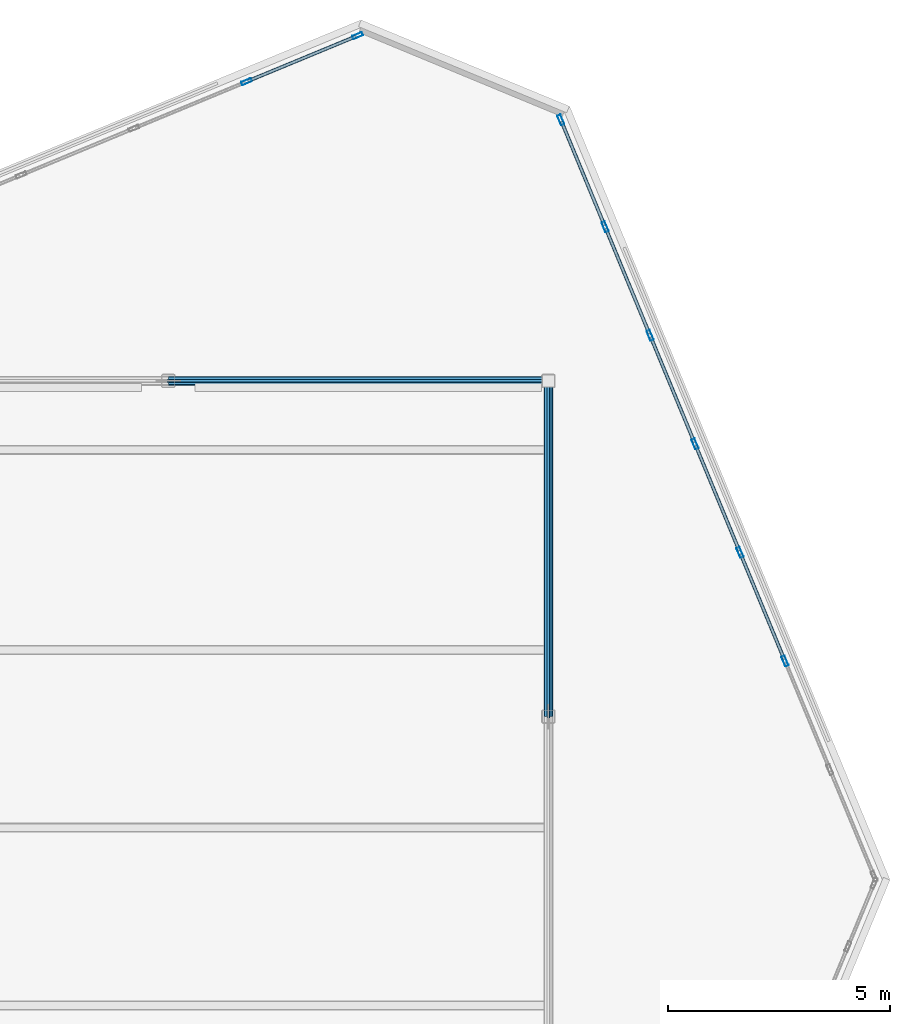
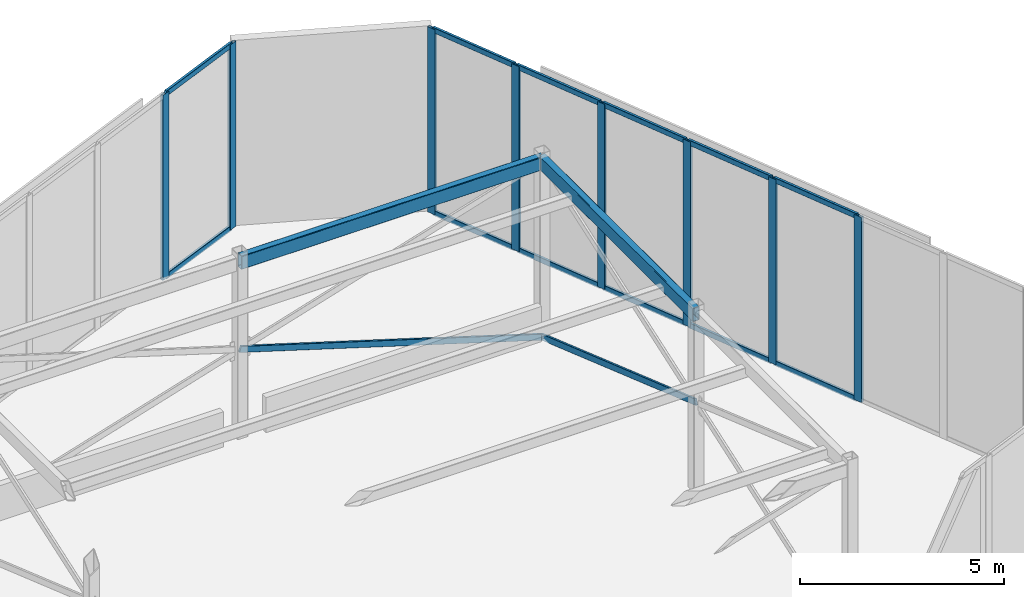
# One storey, part 10 of 12: 24 members, 2 elements without a shape of their own.
"""IFC4 building model written with IfcOpenShell, lengths in metres."""

import ifcopenshell
import ifcopenshell.guid

model = None  # the IFC model being written
_history = None  # IfcOwnerHistory: only IFC2X3 demands one
_inside = {}  # id of a spatial element -> (the spatial element, [elements in it])
_under = {}  # id of a project, library or spatial element -> (it, [spatial elements below it])
_declared = {}  # id of a project -> (the project, [libraries it declares])
_typed = {}  # id of a type object -> (the type object, [elements of that type])
_made_of = {}  # id of a material, layer set ... -> (it, [elements and type objects made of it])


def new_model(schema):
    """Start an empty IFC model of exactly this schema.

    Asked for "IFC4X3", IfcOpenShell would pick the latest addendum, in which some entities
    have other attributes; the version numbers below select the first issue.
    IFC2X3 requires an IfcOwnerHistory on every rooted entity: one is made here for all.
    """
    global model, _history
    if schema == "IFC4X3":
        model = ifcopenshell.file(schema_version=(4, 3, 0, 0))
    else:
        model = ifcopenshell.file(schema=schema)
    _inside.clear()
    _under.clear()
    _declared.clear()
    _typed.clear()
    _made_of.clear()
    _history = None
    if model.schema == "IFC2X3":
        org = make("IfcOrganization", Name="unknown")
        user = make(
            "IfcPersonAndOrganization",
            ThePerson=make("IfcPerson", FamilyName="unknown"),
            TheOrganization=org,
        )
        app = make(
            "IfcApplication",
            ApplicationDeveloper=org,
            Version="unknown",
            ApplicationFullName="unknown",
            ApplicationIdentifier="unknown",
        )
        _history = make(
            "IfcOwnerHistory",
            OwningUser=user,
            OwningApplication=app,
            ChangeAction="ADDED",
            CreationDate=0,
        )
    return model


def make(cls, **values):
    """One entity of the class cls with the attributes given. An attribute that is None is left unset."""
    return model.create_entity(
        cls, **{name: value for name, value in values.items() if value is not None}
    )


def rooted(cls, **values):
    """An entity with a GlobalId (a new one), such as an element, a storey or a relation."""
    return make(cls, GlobalId=ifcopenshell.guid.new(), OwnerHistory=_history, **values)


def si_unit(unit_type, name, prefix=None):
    """IfcSIUnit, for example si_unit("LENGTHUNIT", "METRE", prefix="MILLI")."""
    return make("IfcSIUnit", UnitType=unit_type, Prefix=prefix, Name=name)


def assignment(units):
    """IfcUnitAssignment: the units of a project."""
    return None if units is None else make("IfcUnitAssignment", Units=units)


def point(xyz):
    """IfcCartesianPoint."""
    return None if xyz is None else make("IfcCartesianPoint", Coordinates=xyz)


def direction(xyz):
    """IfcDirection."""
    return None if xyz is None else make("IfcDirection", DirectionRatios=xyz)


def frame(location, z_axis=None, x_axis=None):
    """IfcAxis2Placement3D, a coordinate frame: its origin and axes. An axis left out is left unset."""
    return make(
        "IfcAxis2Placement3D",
        Location=point(location),
        Axis=direction(z_axis),
        RefDirection=direction(x_axis),
    )


def frame_2d(location, x_axis=None):
    """IfcAxis2Placement2D, a coordinate frame in the plane: its origin and x axis."""
    return make(
        "IfcAxis2Placement2D", Location=point(location), RefDirection=direction(x_axis)
    )


def origin():
    """The frame at (0, 0, 0) with its axes left unset."""
    return frame((0.0, 0.0, 0.0))


def origin_2d():
    """The frame at (0, 0) in the plane with its x axis left unset."""
    return frame_2d((0.0, 0.0))


def place(relative_to, where):
    """IfcLocalPlacement: puts the frame where relative to a parent placement (None: the world)."""
    return make(
        "IfcLocalPlacement", PlacementRelTo=relative_to, RelativePlacement=where
    )


def context(
    kind, dimensions, precision=None, world=None, true_north=None, identifier=None
):
    """IfcGeometricRepresentationContext, for example the 3D "Model" context."""
    return make(
        "IfcGeometricRepresentationContext",
        ContextIdentifier=identifier,
        ContextType=kind,
        CoordinateSpaceDimension=dimensions,
        Precision=precision,
        WorldCoordinateSystem=world,
        TrueNorth=true_north,
    )


def subcontext(parent, identifier, kind, view, scale=None):
    """IfcGeometricRepresentationSubContext, for example "Body" below "Model"."""
    return make(
        "IfcGeometricRepresentationSubContext",
        ContextIdentifier=identifier,
        ContextType=kind,
        ParentContext=parent,
        TargetScale=scale,
        TargetView=view,
    )


def project(units=None, contexts=None):
    """IfcProject with its units and contexts."""
    return rooted(
        "IfcProject",
        Name="project",
        RepresentationContexts=contexts,
        UnitsInContext=assignment(units),
    )


def spatial(cls, under=None, at=None, **own):
    """A site, building, storey or space (cls), placed at a placement, below another one or the project."""
    s = rooted(cls, ObjectPlacement=at, **own)
    if under is not None:
        _under.setdefault(under.id(), (under, []))[1].append(s)
    return s


def profile(cls, at=None, kind="AREA", **sizes):
    """A parametric profile (cls). Its sizes go by their IFC names, for example OverallWidth=200.0."""
    return make(cls, ProfileType=kind, Position=at, **sizes)


def hollow_rectangle(**sizes):
    """IfcRectangleHollowProfileDef."""
    return profile("IfcRectangleHollowProfileDef", **sizes)


def extrude(swept, where, along, depth):
    """IfcExtrudedAreaSolid: the profile swept, set in the frame where, extruded along a direction by depth."""
    return make(
        "IfcExtrudedAreaSolid",
        SweptArea=swept,
        Position=where,
        ExtrudedDirection=direction(along),
        Depth=depth,
    )


def shape(context_of_items, identifier, shape_type, items):
    """IfcShapeRepresentation: the items that make up one representation, for example the "Body"."""
    return make(
        "IfcShapeRepresentation",
        ContextOfItems=context_of_items,
        RepresentationIdentifier=identifier,
        RepresentationType=shape_type,
        Items=items,
    )


def source(mapping_origin, context_of_items, identifier, shape_type, items):
    """IfcRepresentationMap: a shape defined once, which mapped items show again and again."""
    return make(
        "IfcRepresentationMap",
        MappingOrigin=mapping_origin,
        MappedRepresentation=shape(context_of_items, identifier, shape_type, items),
    )


def transform(
    local_origin,
    x_axis=None,
    y_axis=None,
    z_axis=None,
    scale=None,
    scale2=None,
    scale3=None,
    uniform=True,
):
    """IfcCartesianTransformationOperator3D, or its non-uniform kind. x_axis, y_axis, z_axis: its Axis1, 2, 3."""
    if uniform:
        return make(
            "IfcCartesianTransformationOperator3D",
            Axis1=direction(x_axis),
            Axis2=direction(y_axis),
            LocalOrigin=point(local_origin),
            Scale=scale,
            Axis3=direction(z_axis),
        )
    return make(
        "IfcCartesianTransformationOperator3DnonUniform",
        Axis1=direction(x_axis),
        Axis2=direction(y_axis),
        LocalOrigin=point(local_origin),
        Scale=scale,
        Axis3=direction(z_axis),
        Scale2=scale2,
        Scale3=scale3,
    )


def mapped(mapping_source, mapping_target):
    """IfcMappedItem: shows the shape of a source again, moved by a transform."""
    return make(
        "IfcMappedItem", MappingSource=mapping_source, MappingTarget=mapping_target
    )


def material(Name=None, Category=None):
    """IfcMaterial."""
    return make("IfcMaterial", Name=Name, Category=Category)


def material_profile(
    of_material, cross_section, Name=None, Category=None, Priority=None
):
    """IfcMaterialProfile: a cross section and its material."""
    return make(
        "IfcMaterialProfile",
        Name=Name,
        Material=of_material,
        Profile=cross_section,
        Priority=Priority,
        Category=Category,
    )


def profile_set(profiles, Name=None, composite=None):
    """IfcMaterialProfileSet."""
    return make(
        "IfcMaterialProfileSet",
        Name=Name,
        MaterialProfiles=profiles,
        CompositeProfile=composite,
    )


def made_of(thing, what):
    """Note that an element or type object is made of a material, layer set ...; save() writes the relation."""
    if what is not None:
        _made_of.setdefault(what.id(), (what, []))[1].append(thing)
    return thing


def type_object(cls, material=None, **own):
    """A type object (cls), such as IfcWallType, which elements share."""
    return made_of(rooted(cls, **own), material)


def element(
    cls,
    number,
    at=None,
    inside=None,
    cuts=None,
    type_object=None,
    material=None,
    context=None,
    identifier="Body",
    shape_type=None,
    held_by="IfcProductDefinitionShape",
    body=None,
    shapes=None,
    **own,
):
    """One element of the class cls, such as IfcWall. Its Tag is "e" and its number.

    at: its placement. inside: the storey or other place that contains it. cuts: it is an
    opening in that element (IfcRelVoidsElement). A single representation is given by context,
    identifier, shape_type and body (its items); several are given by shapes. held_by: the class
    of the entity that holds the representations. save() writes the other relations.
    """
    e = rooted(cls, Tag="e%d" % number, ObjectPlacement=at, **own)
    if body is not None:
        shapes = [shape(context, identifier, shape_type, body)]
    if shapes is not None:
        e.Representation = make(held_by, Representations=shapes)
    if inside is not None:
        _inside.setdefault(inside.id(), (inside, []))[1].append(e)
    if cuts is not None:
        rooted(
            "IfcRelVoidsElement", RelatingBuildingElement=cuts, RelatedOpeningElement=e
        )
    if type_object is not None:
        _typed.setdefault(type_object.id(), (type_object, []))[1].append(e)
    return made_of(e, material)


def aggregate(whole, parts):
    """IfcRelAggregates: a whole, such as a stair, and the parts it consists of."""
    return rooted("IfcRelAggregates", RelatingObject=whole, RelatedObjects=parts)


def save(model, path):
    """Write the relations noted so far, then the file.

    IfcRelAggregates (storeys below a building ...), IfcRelContainedInSpatialStructure (elements
    in a storey), IfcRelDefinesByType, IfcRelAssociatesMaterial and IfcRelDeclares: one each for
    every whole, place, type object, material and project.
    """
    for whole, parts in _under.values():
        aggregate(whole, parts)
    for where, things in _inside.values():
        rooted(
            "IfcRelContainedInSpatialStructure",
            RelatedElements=things,
            RelatingStructure=where,
        )
    for kind, things in _typed.values():
        rooted("IfcRelDefinesByType", RelatedObjects=things, RelatingType=kind)
    for what, things in _made_of.values():
        rooted("IfcRelAssociatesMaterial", RelatedObjects=things, RelatingMaterial=what)
    for by, libraries in _declared.values():
        rooted("IfcRelDeclares", RelatingContext=by, RelatedDefinitions=libraries)
    model.write(path)


model = new_model("IFC4")

# Units and contexts
model_context = context("Model", 3, precision=1e-05, world=origin(), true_north=direction((0.0, 1.0)))
body_context = subcontext(model_context, "Body", "Model", "MODEL_VIEW")
ifc_project = project(units=[si_unit("LENGTHUNIT", "METRE"), si_unit("AREAUNIT", "SQUARE_METRE"), si_unit("VOLUMEUNIT", "CUBIC_METRE"), si_unit("PLANEANGLEUNIT", "RADIAN"), si_unit("MASSUNIT", "GRAM", prefix="KILO")], contexts=[model_context])

# Site, building, storey
site_placement = place(None, origin())
site = spatial("IfcSite", under=ifc_project, at=site_placement, CompositionType="ELEMENT")
building_placement = place(site_placement, origin())
building = spatial("IfcBuilding", under=site, at=building_placement, Name="Torre Montelarca", CompositionType="ELEMENT")
storey_placement = place(building_placement, frame((0.0, 0.0, 370.60009765625)))
storey = spatial("IfcBuildingStorey", under=building, at=storey_placement, Name="RF", CompositionType="ELEMENT", Elevation=370.60009765625)

# Members
ifc_material_1 = material(Name="Steel ASTM A500 Grade C", Category="steel")
ifc_material_profile_1 = material_profile(ifc_material_1, hollow_rectangle(XDim=0.203125, YDim=0.406494140625, WallThickness=0.015869140625, InnerFilletRadius=0.015869140625, OuterFilletRadius=0.03173828125, at=origin_2d()), Name="HSS406X203X15.9", Category="steel")
ifc_profile_set_1 = profile_set([ifc_material_profile_1], Name="Steel ASTM A500 Grade C")
member_type_1 = type_object("IfcMemberType", Name="MB-CF-HSS406-EXT", PredefinedType="USERDEFINED", material=ifc_profile_set_1)
shared_shape_1 = source(origin(), body_context, "Body", "SweptSolid", [
    extrude(hollow_rectangle(XDim=0.203125, YDim=0.406494140625, WallThickness=0.015869140625, InnerFilletRadius=0.015869140625, OuterFilletRadius=0.03173828125, at=origin_2d()), origin(), (0.0, 0.0, 1.0), 8.550048828125),
])
member_1_placement = place(storey_placement, frame((18.0, 39.550048828125, 5.199951171875), z_axis=(1.0, 0.0, 0.0), x_axis=(0.0, 1.0, 0.0)))
element("IfcMember", 1, at=member_1_placement, inside=storey, type_object=member_type_1, Name="RF Crown Frame Ring Beam 04", ObjectType="CROWN FRAME", PredefinedType="USERDEFINED", context=body_context, shape_type="MappedRepresentation", body=[
    mapped(shared_shape_1, transform((0.0, 0.0, 0.0), scale=1.0)),
])
shared_shape_2 = source(origin(), body_context, "Body", "SweptSolid", [
    extrude(hollow_rectangle(XDim=0.203125, YDim=0.406494140625, WallThickness=0.015869140625, InnerFilletRadius=0.015869140625, OuterFilletRadius=0.03173828125, at=origin_2d()), origin(), (0.0, 0.0, 1.0), 7.550048828125),
])
member_2_placement = place(storey_placement, frame((26.550048828125, 32.0, 5.199951171875), z_axis=(0.0, 1.0, 0.0), x_axis=(-1.0, 0.0, 0.0)))
element("IfcMember", 2, at=member_2_placement, inside=storey, type_object=member_type_1, Name="RF Crown Frame Ring Beam 08", ObjectType="CROWN FRAME", PredefinedType="USERDEFINED", context=body_context, shape_type="MappedRepresentation", body=[
    mapped(shared_shape_2, transform((0.0, 0.0, 0.0), scale=1.0)),
])

# Curtain wall, members
ifc_material_2 = material(Name="Amber translucent laminated glass", Category="glass")
curtain_wall_type = type_object("IfcCurtainWallType", Name="CW-SYS-LANT", PredefinedType="USERDEFINED", material=ifc_material_2)
curtain_wall_1_placement = place(storey_placement, origin())
curtain_wall_1 = element("IfcCurtainWall", 3, at=curtain_wall_1_placement, inside=storey, type_object=curtain_wall_type, Name="RF Crown Translucent Amber Lantern Curtain Wall 05-1", ObjectType="TRANSLUCENT LANTERN", PredefinedType="USERDEFINED")
ifc_material_3 = material(Name="Anodised aluminium AA 6063-T6", Category="aluminium")
ifc_material_profile_2 = material_profile(ifc_material_3, hollow_rectangle(XDim=0.080078125, YDim=0.239990234375, WallThickness=0.0048828125, InnerFilletRadius=0.0048828125, OuterFilletRadius=0.010009765625, at=origin_2d()), Name="ALU80X240X5", Category="aluminium")
ifc_profile_set_2 = profile_set([ifc_material_profile_2], Name="Anodised aluminium AA 6063-T6")
member_type_2 = type_object("IfcMemberType", Name="CWM-ALU240", PredefinedType="MULLION", material=ifc_profile_set_2)
shared_shape_3 = source(origin(), body_context, "Body", "SweptSolid", [
    extrude(hollow_rectangle(XDim=0.080078125, YDim=0.239990234375, WallThickness=0.0048828125, InnerFilletRadius=0.0048828125, OuterFilletRadius=0.010009765625, at=origin_2d()), origin(), (0.0, 0.0, 1.0), 5.539794921875),
])
member_3_placement = place(storey_placement, frame((31.871337890625, 33.249755859375, 0.0), z_axis=(0.0, 0.0, 1.0), x_axis=(-0.923877887885, -0.382687402821, 0.0)))
member_3 = element("IfcMember", 4, at=member_3_placement, type_object=member_type_2, Name="CW mullion 3", PredefinedType="MULLION", context=body_context, shape_type="MappedRepresentation", body=[
    mapped(shared_shape_3, transform((0.0, 0.0, 0.0), scale=1.0)),
])
member_4_placement = place(storey_placement, frame((30.85986328125, 35.69140625, 0.0), z_axis=(0.0, 0.0, 1.0), x_axis=(-0.923877887885, -0.382687402821, 0.0)))
member_4 = element("IfcMember", 5, at=member_4_placement, type_object=member_type_2, Name="CW mullion 4", PredefinedType="MULLION", context=body_context, shape_type="MappedRepresentation", body=[
    mapped(shared_shape_3, transform((0.0, 0.0, 0.0), scale=1.0)),
])
member_5_placement = place(storey_placement, frame((29.848388671875, 38.133056640625, 0.0), z_axis=(0.0, 0.0, 1.0), x_axis=(-0.923877887885, -0.382687402821, 0.0)))
member_5 = element("IfcMember", 6, at=member_5_placement, type_object=member_type_2, Name="CW mullion 5", PredefinedType="MULLION", context=body_context, shape_type="MappedRepresentation", body=[
    mapped(shared_shape_3, transform((0.0, 0.0, 0.0), scale=1.0)),
])
member_6_placement = place(storey_placement, frame((28.837158203125, 40.57470703125, 0.0), z_axis=(0.0, 0.0, 1.0), x_axis=(-0.923877887885, -0.382687402821, 0.0)))
member_6 = element("IfcMember", 7, at=member_6_placement, type_object=member_type_2, Name="CW mullion 6", PredefinedType="MULLION", context=body_context, shape_type="MappedRepresentation", body=[
    mapped(shared_shape_3, transform((0.0, 0.0, 0.0), scale=1.0)),
])
member_7_placement = place(storey_placement, frame((27.82568359375, 43.016357421875, 0.0), z_axis=(0.0, 0.0, 1.0), x_axis=(-0.923877887885, -0.382687402821, 0.0)))
member_7 = element("IfcMember", 8, at=member_7_placement, type_object=member_type_2, Name="CW mullion 7", PredefinedType="MULLION", context=body_context, shape_type="MappedRepresentation", body=[
    mapped(shared_shape_3, transform((0.0, 0.0, 0.0), scale=1.0)),
])
member_8_placement = place(storey_placement, frame((26.82958984375, 45.421142578125, 0.0), z_axis=(0.0, 0.0, 1.0), x_axis=(-0.923877887885, -0.382687402821, 0.0)))
member_8 = element("IfcMember", 9, at=member_8_placement, type_object=member_type_2, Name="CW mullion 8", PredefinedType="MULLION", context=body_context, shape_type="MappedRepresentation", body=[
    mapped(shared_shape_3, transform((0.0, 0.0, 0.0), scale=1.0)),
])

curtain_wall_2_placement = place(storey_placement, origin())
curtain_wall_2 = element("IfcCurtainWall", 10, at=curtain_wall_2_placement, inside=storey, type_object=curtain_wall_type, Name="RF Crown Translucent Amber Lantern Curtain Wall 07-1", ObjectType="TRANSLUCENT LANTERN", PredefinedType="USERDEFINED")
member_9_placement = place(storey_placement, frame((22.256591796875, 47.3154296875, 0.0), z_axis=(0.0, 0.0, 1.0), x_axis=(0.382688506799, -0.923877430596, 0.0)))
member_9 = element("IfcMember", 11, at=member_9_placement, type_object=member_type_2, Name="CW mullion 1", PredefinedType="MULLION", context=body_context, shape_type="MappedRepresentation", body=[
    mapped(shared_shape_3, transform((0.0, 0.0, 0.0), scale=1.0)),
])
member_10_placement = place(storey_placement, frame((19.759521484375, 46.281005859375, 0.0), z_axis=(0.0, 0.0, 1.0), x_axis=(0.382688506799, -0.923877430596, 0.0)))
member_10 = element("IfcMember", 12, at=member_10_placement, type_object=member_type_2, Name="CW mullion 2", PredefinedType="MULLION", context=body_context, shape_type="MappedRepresentation", body=[
    mapped(shared_shape_3, transform((0.0, 0.0, 0.0), scale=1.0)),
])

# Member
ifc_material_profile_3 = material_profile(ifc_material_3, hollow_rectangle(XDim=0.074951171875, YDim=0.159912109375, WallThickness=0.0048828125, InnerFilletRadius=0.0048828125, OuterFilletRadius=0.010009765625, at=origin_2d()), Name="ALU75X160X5", Category="aluminium")
ifc_profile_set_3 = profile_set([ifc_material_profile_3], Name="Anodised aluminium AA 6063-T6")
member_type_3 = type_object("IfcMemberType", Name="CWT-ALU160", PredefinedType="USERDEFINED", material=ifc_profile_set_3)
shared_shape_4 = source(origin(), body_context, "Body", "SweptSolid", [
    extrude(hollow_rectangle(XDim=0.074951171875, YDim=0.159912109375, WallThickness=0.0048828125, InnerFilletRadius=0.0048828125, OuterFilletRadius=0.010009765625, at=origin_2d()), origin(), (0.0, 0.0, 1.0), 2.56298828125),
])
member_11_placement = place(storey_placement, frame((31.85595703125, 33.28662109375, 0.037353515625), z_axis=(-0.382646247132, 0.923894934262, 0.0), x_axis=(-0.923894934262, -0.382646247132, 0.0)))
member_11 = element("IfcMember", 13, at=member_11_placement, type_object=member_type_3, Name="CW transom 3.1", ObjectType="TRANSOM", PredefinedType="USERDEFINED", context=body_context, shape_type="MappedRepresentation", body=[
    mapped(shared_shape_4, transform((0.0, 0.0, 0.0), scale=1.0)),
])

member_12_placement = place(storey_placement, frame((31.85595703125, 33.28662109375, 5.50244140625), z_axis=(-0.382646247132, 0.923894934262, 0.0), x_axis=(-0.923894934262, -0.382646247132, 0.0)))
member_12 = element("IfcMember", 14, at=member_12_placement, type_object=member_type_3, Name="CW transom 3.2", ObjectType="TRANSOM", PredefinedType="USERDEFINED", context=body_context, shape_type="MappedRepresentation", body=[
    mapped(shared_shape_4, transform((0.0, 0.0, 0.0), scale=1.0)),
])

member_13_placement = place(storey_placement, frame((30.844482421875, 35.728271484375, 0.037353515625), z_axis=(-0.382646247132, 0.923894934262, 0.0), x_axis=(-0.923894934262, -0.382646247132, 0.0)))
member_13 = element("IfcMember", 15, at=member_13_placement, type_object=member_type_3, Name="CW transom 4.1", ObjectType="TRANSOM", PredefinedType="USERDEFINED", context=body_context, shape_type="MappedRepresentation", body=[
    mapped(shared_shape_4, transform((0.0, 0.0, 0.0), scale=1.0)),
])

member_14_placement = place(storey_placement, frame((30.844482421875, 35.728271484375, 5.50244140625), z_axis=(-0.382646247132, 0.923894934262, 0.0), x_axis=(-0.923894934262, -0.382646247132, 0.0)))
member_14 = element("IfcMember", 16, at=member_14_placement, type_object=member_type_3, Name="CW transom 4.2", ObjectType="TRANSOM", PredefinedType="USERDEFINED", context=body_context, shape_type="MappedRepresentation", body=[
    mapped(shared_shape_4, transform((0.0, 0.0, 0.0), scale=1.0)),
])

member_15_placement = place(storey_placement, frame((29.833251953125, 38.169921875, 0.037353515625), z_axis=(-0.382727552094, 0.923861256287, 0.0), x_axis=(-0.923861256287, -0.382727552094, 0.0)))
member_15 = element("IfcMember", 17, at=member_15_placement, type_object=member_type_3, Name="CW transom 5.1", ObjectType="TRANSOM", PredefinedType="USERDEFINED", context=body_context, shape_type="MappedRepresentation", body=[
    mapped(shared_shape_4, transform((0.0, 0.0, 0.0), scale=1.0)),
])

member_16_placement = place(storey_placement, frame((29.833251953125, 38.169921875, 5.50244140625), z_axis=(-0.382727552094, 0.923861256287, 0.0), x_axis=(-0.923861256287, -0.382727552094, 0.0)))
member_16 = element("IfcMember", 18, at=member_16_placement, type_object=member_type_3, Name="CW transom 5.2", ObjectType="TRANSOM", PredefinedType="USERDEFINED", context=body_context, shape_type="MappedRepresentation", body=[
    mapped(shared_shape_4, transform((0.0, 0.0, 0.0), scale=1.0)),
])

shared_shape_5 = source(origin(), body_context, "Body", "SweptSolid", [
    extrude(hollow_rectangle(XDim=0.074951171875, YDim=0.159912109375, WallThickness=0.0048828125, InnerFilletRadius=0.0048828125, OuterFilletRadius=0.010009765625, at=origin_2d()), origin(), (0.0, 0.0, 1.0), 2.562744140625),
])
member_17_placement = place(storey_placement, frame((28.82177734375, 40.61181640625, 0.037353515625), z_axis=(-0.382679925467, 0.923880985108, 0.0), x_axis=(-0.923880985108, -0.382679925467, 0.0)))
member_17 = element("IfcMember", 19, at=member_17_placement, type_object=member_type_3, Name="CW transom 6.1", ObjectType="TRANSOM", PredefinedType="USERDEFINED", context=body_context, shape_type="MappedRepresentation", body=[
    mapped(shared_shape_5, transform((0.0, 0.0, 0.0), scale=1.0)),
])

member_18_placement = place(storey_placement, frame((28.82177734375, 40.61181640625, 5.50244140625), z_axis=(-0.382679925467, 0.923880985108, 0.0), x_axis=(-0.923880985108, -0.382679925467, 0.0)))
member_18 = element("IfcMember", 20, at=member_18_placement, type_object=member_type_3, Name="CW transom 6.2", ObjectType="TRANSOM", PredefinedType="USERDEFINED", context=body_context, shape_type="MappedRepresentation", body=[
    mapped(shared_shape_5, transform((0.0, 0.0, 0.0), scale=1.0)),
])

shared_shape_6 = source(origin(), body_context, "Body", "SweptSolid", [
    extrude(hollow_rectangle(XDim=0.074951171875, YDim=0.159912109375, WallThickness=0.0048828125, InnerFilletRadius=0.0048828125, OuterFilletRadius=0.010009765625, at=origin_2d()), origin(), (0.0, 0.0, 1.0), 2.623046875),
])
member_19_placement = place(storey_placement, frame((22.2197265625, 47.300048828125, 0.037353515625), z_axis=(-0.92389545334, -0.382644993822, 0.0), x_axis=(0.382644993822, -0.92389545334, 0.0)))
member_19 = element("IfcMember", 21, at=member_19_placement, type_object=member_type_3, Name="CW transom 1.1", ObjectType="TRANSOM", PredefinedType="USERDEFINED", context=body_context, shape_type="MappedRepresentation", body=[
    mapped(shared_shape_6, transform((0.0, 0.0, 0.0), scale=1.0)),
])

member_20_placement = place(storey_placement, frame((22.2197265625, 47.300048828125, 5.50244140625), z_axis=(-0.92389545334, -0.382644993822, 0.0), x_axis=(0.382644993822, -0.92389545334, 0.0)))
member_20 = element("IfcMember", 22, at=member_20_placement, type_object=member_type_3, Name="CW transom 1.2", ObjectType="TRANSOM", PredefinedType="USERDEFINED", context=body_context, shape_type="MappedRepresentation", body=[
    mapped(shared_shape_6, transform((0.0, 0.0, 0.0), scale=1.0)),
])

aggregate(curtain_wall_2, [member_9, member_10, member_19, member_20])

shared_shape_7 = source(origin(), body_context, "Body", "SweptSolid", [
    extrude(hollow_rectangle(XDim=0.074951171875, YDim=0.159912109375, WallThickness=0.0048828125, InnerFilletRadius=0.0048828125, OuterFilletRadius=0.010009765625, at=origin_2d()), origin(), (0.0, 0.0, 1.0), 2.522705078125),
])
member_21_placement = place(storey_placement, frame((27.810302734375, 43.053466796875, 0.037353515625), z_axis=(-0.382642389034, 0.923896532147, 0.0), x_axis=(-0.923896532147, -0.382642389034, 0.0)))
member_21 = element("IfcMember", 23, at=member_21_placement, type_object=member_type_3, Name="CW transom 7.1", ObjectType="TRANSOM", PredefinedType="USERDEFINED", context=body_context, shape_type="MappedRepresentation", body=[
    mapped(shared_shape_7, transform((0.0, 0.0, 0.0), scale=1.0)),
])

member_22_placement = place(storey_placement, frame((27.810302734375, 43.053466796875, 5.50244140625), z_axis=(-0.382642389034, 0.923896532147, 0.0), x_axis=(-0.923896532147, -0.382642389034, 0.0)))
member_22 = element("IfcMember", 24, at=member_22_placement, type_object=member_type_3, Name="CW transom 7.2", ObjectType="TRANSOM", PredefinedType="USERDEFINED", context=body_context, shape_type="MappedRepresentation", body=[
    mapped(shared_shape_7, transform((0.0, 0.0, 0.0), scale=1.0)),
])

aggregate(curtain_wall_1, [member_3, member_4, member_5, member_6, member_7, member_8, member_11, member_12, member_13, member_14, member_15, member_16, member_17, member_18, member_21, member_22])

# Members
ifc_material_4 = material(Name="Architectural perforated terracotta ceramic on aluminium AA 6063-T6", Category="masonry")
ifc_material_profile_4 = material_profile(ifc_material_4, hollow_rectangle(XDim=0.06494140625, YDim=0.179931640625, WallThickness=0.00390625, InnerFilletRadius=0.00390625, OuterFilletRadius=0.008056640625, at=origin_2d()), Name="ALU65X180X4", Category="masonry")
ifc_profile_set_4 = profile_set([ifc_material_profile_4], Name="Architectural perforated terracotta ceramic on aluminium AA 6063-T6")
member_type_4 = type_object("IfcMemberType", Name="SCR-DIAG-RIB", PredefinedType="USERDEFINED", material=ifc_profile_set_4)
shared_shape_8 = source(origin(), body_context, "Body", "SweptSolid", [
    extrude(hollow_rectangle(XDim=0.06494140625, YDim=0.179931640625, WallThickness=0.00390625, InnerFilletRadius=0.00390625, OuterFilletRadius=0.008056640625, at=origin_2d()), origin(), (0.0, 0.0, 1.0), 8.94384765625),
])
member_23_placement = place(storey_placement, frame((26.550048828125, 39.550048828125, -0.050048828125), z_axis=(-0.955960607945, 0.0, 0.29349500176), x_axis=(0.0, -1.0, 0.0)))
element("IfcMember", 25, at=member_23_placement, inside=storey, type_object=member_type_4, Name="RF Crown Split Diagonal Brace Lower NB1", ObjectType="SOLAR SCREEN", PredefinedType="USERDEFINED", context=body_context, shape_type="MappedRepresentation", body=[
    mapped(shared_shape_8, transform((0.0, 0.0, 0.0), scale=1.0)),
])
shared_shape_9 = source(origin(), body_context, "Body", "SweptSolid", [
    extrude(hollow_rectangle(XDim=0.06494140625, YDim=0.179931640625, WallThickness=0.00390625, InnerFilletRadius=0.00390625, OuterFilletRadius=0.008056640625, at=origin_2d()), origin(), (0.0, 0.0, 1.0), 7.993408203125),
])
member_24_placement = place(storey_placement, frame((26.550048828125, 39.550048828125, -0.050048828125), z_axis=(0.0, -0.944539641462, 0.328397420372), x_axis=(1.0, 0.0, 0.0)))
element("IfcMember", 26, at=member_24_placement, inside=storey, type_object=member_type_4, Name="RF Crown Split Diagonal Brace Lower EB1", ObjectType="SOLAR SCREEN", PredefinedType="USERDEFINED", context=body_context, shape_type="MappedRepresentation", body=[
    mapped(shared_shape_9, transform((0.0, 0.0, 0.0), scale=1.0)),
])

save(model, "model.ifc")
